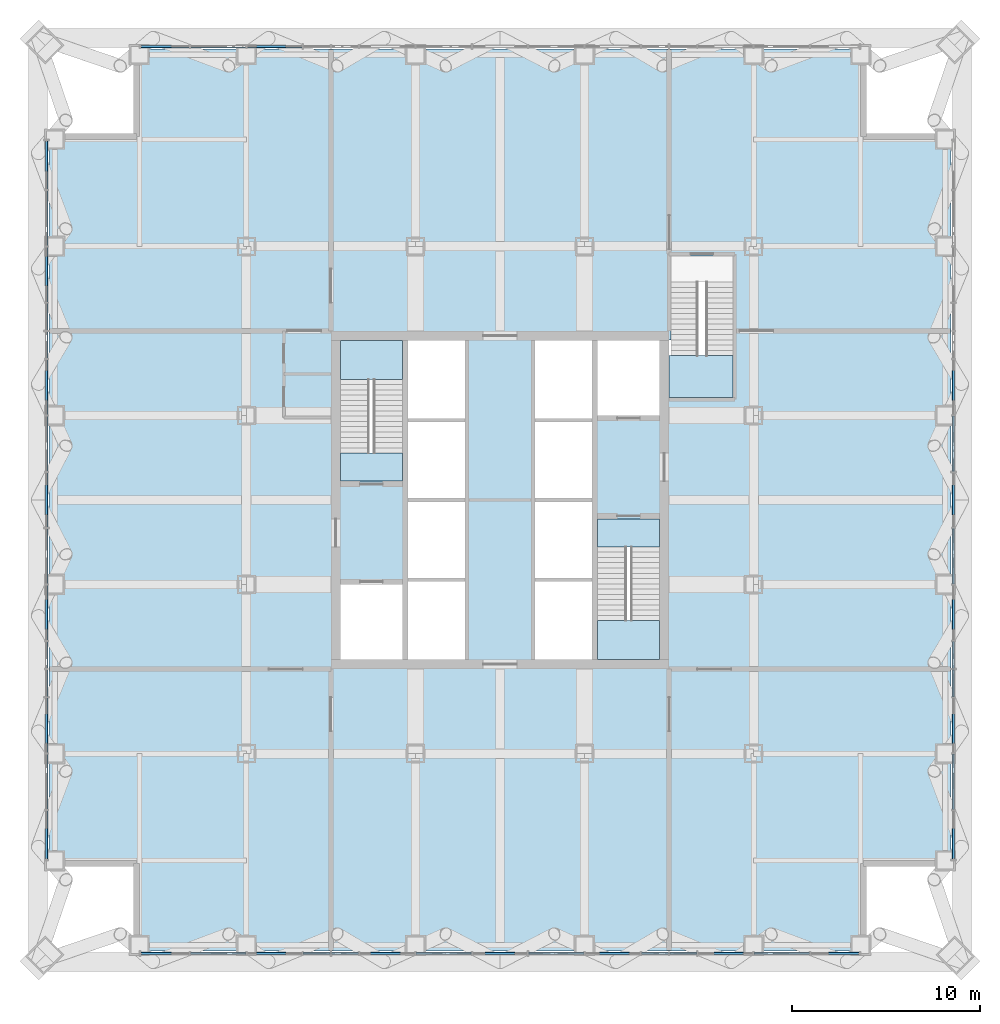
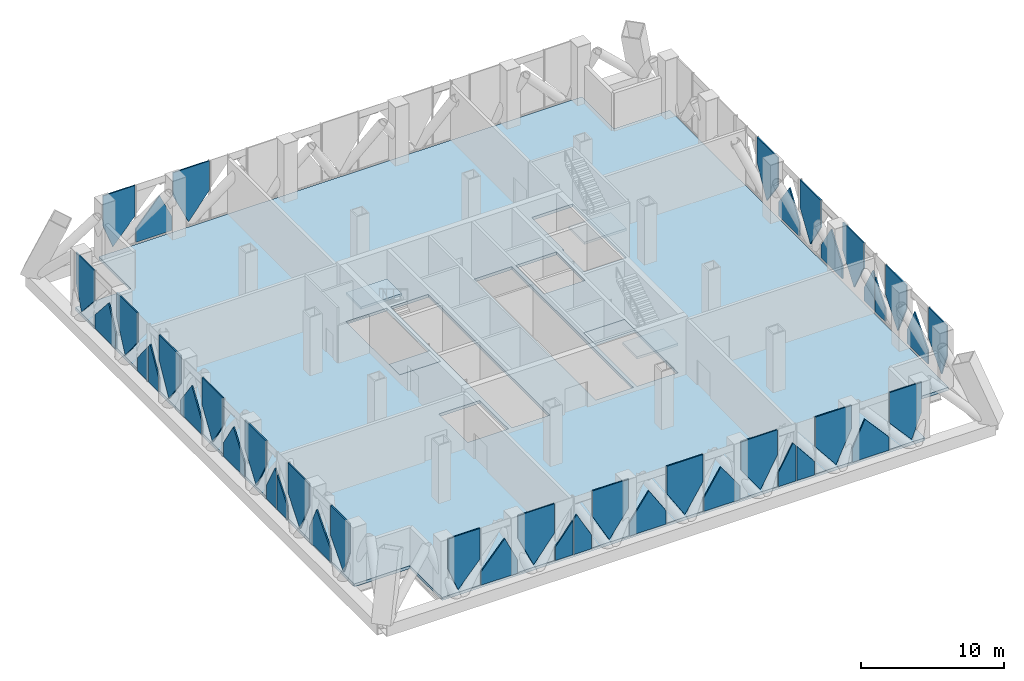
# One storey, part 13 of 29: 43 plates, 6 slabs, 7 elements without a shape of their own.
"""IFC4 building model written with IfcOpenShell, lengths in metres."""

from ifc_helpers import new_model, si_unit, direction, frame, origin, place, context, subcontext, project, spatial, polyline, outline, extrude, material, layer, layer_set, type_object, element, aggregate, save


model = new_model("IFC4")

# Units and contexts
model_context = context("Model", 3, precision=1e-05, world=origin(), true_north=direction((0.0, 1.0)))
body_context = subcontext(model_context, "Body", "Model", "MODEL_VIEW")
ifc_project = project(units=[si_unit("LENGTHUNIT", "METRE"), si_unit("AREAUNIT", "SQUARE_METRE"), si_unit("VOLUMEUNIT", "CUBIC_METRE"), si_unit("PLANEANGLEUNIT", "RADIAN"), si_unit("MASSUNIT", "GRAM", prefix="KILO")], contexts=[model_context])

# Site, building, storey
site_placement = place(None, origin())
site = spatial("IfcSite", under=ifc_project, at=site_placement, CompositionType="ELEMENT")
building_placement = place(site_placement, origin())
building = spatial("IfcBuilding", under=site, at=building_placement, Name="Malebo Sky Hospital", CompositionType="ELEMENT")
storey_placement = place(building_placement, frame((0.0, 0.0, 172.0)))
storey = spatial("IfcBuildingStorey", under=building, at=storey_placement, Name="L41", CompositionType="ELEMENT", Elevation=172.0)

# Slab
ifc_material_1 = material(Name="Concrete C40/50", Category="concrete")
ifc_layer_1 = layer(ifc_material_1, 0.25)
ifc_layer_set_1 = layer_set([ifc_layer_1], Name="COMPOSITE FLOOR SLAB 250")
slab_type_1 = type_object("IfcSlabType", Name="COMPOSITE FLOOR SLAB 250", PredefinedType="FLOOR", material=ifc_layer_set_1)
slab_1_placement = place(storey_placement, frame((0.0, 0.0, -0.25)))
element("IfcSlab", 1, at=slab_1_placement, inside=storey, type_object=slab_type_1, Name="Floor slab L41", PredefinedType="FLOOR", context=body_context, shape_type="SweptSolid", body=[
    extrude(outline(polyline([(40.5, 86.0), (40.5, 81.5), (36.0, 81.5), (36.0, 42.5), (40.5, 42.5), (40.5, 38.0), (79.5, 38.0), (79.5, 42.5), (84.0, 42.5), (84.0, 81.5), (79.5, 81.5), (79.5, 86.0), (40.5, 86.0)]), holes=[polyline([(55.10009765625, 70.5), (58.14990234375, 70.5), (58.14990234375, 53.5), (55.10009765625, 53.5), (55.10009765625, 70.5)]), polyline([(64.89990234375, 70.5), (64.89990234375, 53.5), (61.85009765625, 53.5), (61.85009765625, 70.5), (64.89990234375, 70.5)]), polyline([(54.800048828125, 63.0), (51.5, 63.0), (51.5, 70.5), (54.800048828125, 70.5), (54.800048828125, 63.0)]), polyline([(51.5, 53.5), (51.5, 57.5), (54.800048828125, 57.5), (54.800048828125, 53.5), (51.5, 53.5)]), polyline([(65.199951171875, 61.0), (68.5, 61.0), (68.5, 53.5), (65.199951171875, 53.5), (65.199951171875, 61.0)]), polyline([(68.5, 70.5), (68.5, 66.5), (65.199951171875, 66.5), (65.199951171875, 70.5), (68.5, 70.5)]), polyline([(69.0, 67.449951171875), (69.0, 70.52001953125), (69.10009765625, 70.52001953125), (69.10009765625, 75.0), (72.39990234375, 75.0), (72.39990234375, 67.449951171875), (69.10009765625, 67.449951171875), (69.0, 67.449951171875)])]), origin(), (0.0, 0.0, 1.0), 0.25),
])

# Curtain wall, plates
ifc_material_2 = material(Name="Anodised aluminium, natural silver", Category="aluminium")
ifc_layer_2 = layer(ifc_material_2, 0.25)
ifc_layer_set_2 = layer_set([ifc_layer_2], Name="PLANT LOUVRE SCREEN")
curtain_wall_type = type_object("IfcCurtainWallType", Name="PLANT LOUVRE SCREEN", PredefinedType="NOTDEFINED", material=ifc_layer_set_2)
curtain_wall_1_placement = place(storey_placement, origin())
curtain_wall_1 = element("IfcCurtainWall", 2, at=curtain_wall_1_placement, inside=storey, type_object=curtain_wall_type, Name="PLANT curtain wall N", PredefinedType="NOTDEFINED")
ifc_layer_3 = layer(ifc_material_2, 0.10009765625)
ifc_layer_set_3 = layer_set([ifc_layer_3], Name="LOUVRE PANEL 100")
plate_type = type_object("IfcPlateType", Name="LOUVRE PANEL 100", PredefinedType="CURTAIN_PANEL", material=ifc_layer_set_3)
plate_1_placement = place(storey_placement, frame((42.168701171875, 86.135009765625, 0.36376953125), z_axis=(0.0, 0.0, 1.0), x_axis=(1.0, 0.0, 0.0)))
plate_1 = element("IfcPlate", 3, at=plate_1_placement, type_object=plate_type, Name="Panel 1", PredefinedType="CURTAIN_PANEL", context=body_context, shape_type="SweptSolid", body=[
    extrude(outline(polyline([(-0.488037109375, 0.0), (1.293701171875, 2.0205078125), (1.293701171875, 4.626220703125), (-1.293701171875, 4.626220703125), (-1.293701171875, 2.079833984375), (-0.488037109375, 0.0)])), frame((0.0, 0.050048828125, 0.0), z_axis=(0.0, -1.0, 0.0), x_axis=(1.0, 0.0, 0.0)), (0.0, 0.0, 1.0), 0.10009765625),
])
plate_2_placement = place(storey_placement, frame((45.0, 86.135009765625, 0.10009765625), z_axis=(0.0, 0.0, 1.0), x_axis=(1.0, 0.0, 0.0)))
plate_2 = element("IfcPlate", 4, at=plate_2_placement, type_object=plate_type, Name="Panel 2", PredefinedType="CURTAIN_PANEL", context=body_context, shape_type="SweptSolid", body=[
    extrude(outline(polyline([(-1.46240234375, 0.0), (1.46240234375, 0.0), (1.46240234375, 1.179931640625), (0.458740234375, 3.316650390625), (-1.46240234375, 1.13818359375), (-1.46240234375, 0.0)])), frame((0.0, 0.050048828125, 0.0), z_axis=(0.0, -1.0, 0.0), x_axis=(1.0, 0.0, 0.0)), (0.0, 0.0, 1.0), 0.10009765625),
])
plate_3_placement = place(storey_placement, frame((48.0, 86.135009765625, 0.365478515625), z_axis=(0.0, 0.0, 1.0), x_axis=(1.0, 0.0, 0.0)))
plate_3 = element("IfcPlate", 5, at=plate_3_placement, type_object=plate_type, Name="Panel 3", PredefinedType="CURTAIN_PANEL", context=body_context, shape_type="SweptSolid", body=[
    extrude(outline(polyline([(-0.21142578125, 0.0), (1.46240234375, 2.09375), (1.46240234375, 4.62451171875), (-1.46240234375, 4.62451171875), (-1.46240234375, 2.6630859375), (-0.21142578125, 0.0)])), frame((0.0, 0.050048828125, 0.0), z_axis=(0.0, -1.0, 0.0), x_axis=(1.0, 0.0, 0.0)), (0.0, 0.0, 1.0), 0.10009765625),
])
aggregate(curtain_wall_1, [plate_1, plate_2, plate_3])

curtain_wall_2_placement = place(storey_placement, origin())
curtain_wall_2 = element("IfcCurtainWall", 6, at=curtain_wall_2_placement, inside=storey, type_object=curtain_wall_type, Name="PLANT curtain wall W", PredefinedType="NOTDEFINED")
plate_4_placement = place(storey_placement, frame((35.864990234375, 44.168701171875, 0.36376953125), z_axis=(0.0, 0.0, 1.0), x_axis=(0.0, 1.0, 0.0)))
plate_4 = element("IfcPlate", 7, at=plate_4_placement, type_object=plate_type, Name="Panel 1", PredefinedType="CURTAIN_PANEL", context=body_context, shape_type="SweptSolid", body=[
    extrude(outline(polyline([(-0.488037109375, 0.0), (1.293701171875, 2.0205078125), (1.293701171875, 4.626220703125), (-1.293701171875, 4.626220703125), (-1.293701171875, 2.079833984375), (-0.488037109375, 0.0)])), frame((0.0, 0.050048828125, 0.0), z_axis=(0.0, -1.0, 0.0), x_axis=(1.0, 0.0, 0.0)), (0.0, 0.0, 1.0), 0.10009765625),
])
plate_5_placement = place(storey_placement, frame((35.864990234375, 47.0, 0.10009765625), z_axis=(0.0, 0.0, 1.0), x_axis=(0.0, 1.0, 0.0)))
plate_5 = element("IfcPlate", 8, at=plate_5_placement, type_object=plate_type, Name="Panel 2", PredefinedType="CURTAIN_PANEL", context=body_context, shape_type="SweptSolid", body=[
    extrude(outline(polyline([(-1.46240234375, 0.0), (1.46240234375, 0.0), (1.46240234375, 1.179931640625), (0.458740234375, 3.316650390625), (-1.46240234375, 1.13818359375), (-1.46240234375, 0.0)])), frame((0.0, 0.050048828125, 0.0), z_axis=(0.0, -1.0, 0.0), x_axis=(1.0, 0.0, 0.0)), (0.0, 0.0, 1.0), 0.10009765625),
])
plate_6_placement = place(storey_placement, frame((35.864990234375, 50.0, 0.365478515625), z_axis=(0.0, 0.0, 1.0), x_axis=(0.0, 1.0, 0.0)))
plate_6 = element("IfcPlate", 9, at=plate_6_placement, type_object=plate_type, Name="Panel 3", PredefinedType="CURTAIN_PANEL", context=body_context, shape_type="SweptSolid", body=[
    extrude(outline(polyline([(-0.21142578125, 0.0), (1.46240234375, 2.09375), (1.46240234375, 4.62451171875), (-1.46240234375, 4.62451171875), (-1.46240234375, 2.6630859375), (-0.21142578125, 0.0)])), frame((0.0, 0.050048828125, 0.0), z_axis=(0.0, -1.0, 0.0), x_axis=(1.0, 0.0, 0.0)), (0.0, 0.0, 1.0), 0.10009765625),
])
plate_7_placement = place(storey_placement, frame((35.864990234375, 52.25, 0.10009765625), z_axis=(0.0, 0.0, 1.0), x_axis=(0.0, 1.0, 0.0)))
plate_7 = element("IfcPlate", 10, at=plate_7_placement, type_object=plate_type, Name="Panel 4", PredefinedType="CURTAIN_PANEL", context=body_context, shape_type="SweptSolid", body=[
    extrude(outline(polyline([(-0.71240234375, 0.0), (0.71240234375, 0.0), (0.71240234375, 2.926513671875), (-0.71240234375, 1.14404296875), (-0.71240234375, 0.0)])), frame((0.0, 0.050048828125, 0.0), z_axis=(0.0, -1.0, 0.0), x_axis=(1.0, 0.0, 0.0)), (0.0, 0.0, 1.0), 0.10009765625),
])
plate_8_placement = place(storey_placement, frame((35.864990234375, 53.75, 0.10009765625), z_axis=(0.0, 0.0, 1.0), x_axis=(0.0, 1.0, 0.0)))
plate_8 = element("IfcPlate", 11, at=plate_8_placement, type_object=plate_type, Name="Panel 5", PredefinedType="CURTAIN_PANEL", context=body_context, shape_type="SweptSolid", body=[
    extrude(outline(polyline([(-0.71240234375, 0.0), (0.71240234375, 0.0), (0.71240234375, 1.166015625), (-0.475341796875, 3.31689453125), (-0.71240234375, 3.020263671875), (-0.71240234375, 0.0)])), frame((0.0, 0.050048828125, 0.0), z_axis=(0.0, -1.0, 0.0), x_axis=(1.0, 0.0, 0.0)), (0.0, 0.0, 1.0), 0.10009765625),
])
plate_9_placement = place(storey_placement, frame((35.864990234375, 56.0, 0.36572265625), z_axis=(0.0, 0.0, 1.0), x_axis=(0.0, 1.0, 0.0)))
plate_9 = element("IfcPlate", 12, at=plate_9_placement, type_object=plate_type, Name="Panel 6", PredefinedType="CURTAIN_PANEL", context=body_context, shape_type="SweptSolid", body=[
    extrude(outline(polyline([(-0.105224609375, 0.0), (1.46240234375, 2.186279296875), (1.46240234375, 4.624267578125), (-1.46240234375, 4.624267578125), (-1.46240234375, 2.45751953125), (-0.105224609375, 0.0)])), frame((0.0, 0.050048828125, 0.0), z_axis=(0.0, -1.0, 0.0), x_axis=(1.0, 0.0, 0.0)), (0.0, 0.0, 1.0), 0.10009765625),
])
plate_10_placement = place(storey_placement, frame((35.864990234375, 59.0, 0.099853515625), z_axis=(0.0, 0.0, 1.0), x_axis=(0.0, 1.0, 0.0)))
plate_10 = element("IfcPlate", 13, at=plate_10_placement, type_object=plate_type, Name="Panel 7", PredefinedType="CURTAIN_PANEL", context=body_context, shape_type="SweptSolid", body=[
    extrude(outline(polyline([(-1.46240234375, 0.0), (1.46240234375, 0.0), (1.46240234375, 1.156982421875), (0.091552734375, 3.3173828125), (-1.46240234375, 1.14990234375), (-1.46240234375, 0.0)])), frame((0.0, 0.050048828125, 0.0), z_axis=(0.0, -1.0, 0.0), x_axis=(1.0, 0.0, 0.0)), (0.0, 0.0, 1.0), 0.10009765625),
])
plate_11_placement = place(storey_placement, frame((35.864990234375, 62.0, 0.36572265625), z_axis=(0.0, 0.0, 1.0), x_axis=(0.0, 1.0, 0.0)))
plate_11 = element("IfcPlate", 14, at=plate_11_placement, type_object=plate_type, Name="Panel 8", PredefinedType="CURTAIN_PANEL", context=body_context, shape_type="SweptSolid", body=[
    extrude(outline(polyline([(0.0, 0.0), (1.46240234375, 2.304443359375), (1.46240234375, 4.624267578125), (-1.46240234375, 4.624267578125), (-1.46240234375, 2.304443359375), (0.0, 0.0)])), frame((0.0, 0.050048828125, 0.0), z_axis=(0.0, -1.0, 0.0), x_axis=(1.0, 0.0, 0.0)), (0.0, 0.0, 1.0), 0.10009765625),
])
plate_12_placement = place(storey_placement, frame((35.864990234375, 65.0, 0.099853515625), z_axis=(0.0, 0.0, 1.0), x_axis=(0.0, 1.0, 0.0)))
plate_12 = element("IfcPlate", 15, at=plate_12_placement, type_object=plate_type, Name="Panel 9", PredefinedType="CURTAIN_PANEL", context=body_context, shape_type="SweptSolid", body=[
    extrude(outline(polyline([(-1.46240234375, 0.0), (1.46240234375, 0.0), (1.46240234375, 1.14990234375), (-0.091552734375, 3.3173828125), (-1.46240234375, 1.156982421875), (-1.46240234375, 0.0)])), frame((0.0, 0.050048828125, 0.0), z_axis=(0.0, -1.0, 0.0), x_axis=(1.0, 0.0, 0.0)), (0.0, 0.0, 1.0), 0.10009765625),
])
plate_13_placement = place(storey_placement, frame((35.864990234375, 68.0, 0.36572265625), z_axis=(0.0, 0.0, 1.0), x_axis=(0.0, 1.0, 0.0)))
plate_13 = element("IfcPlate", 16, at=plate_13_placement, type_object=plate_type, Name="Panel 10", PredefinedType="CURTAIN_PANEL", context=body_context, shape_type="SweptSolid", body=[
    extrude(outline(polyline([(0.105224609375, 0.0), (1.46240234375, 2.45751953125), (1.46240234375, 4.624267578125), (-1.46240234375, 4.624267578125), (-1.46240234375, 2.186279296875), (0.105224609375, 0.0)])), frame((0.0, 0.050048828125, 0.0), z_axis=(0.0, -1.0, 0.0), x_axis=(1.0, 0.0, 0.0)), (0.0, 0.0, 1.0), 0.10009765625),
])
plate_14_placement = place(storey_placement, frame((35.864990234375, 70.25, 0.10009765625), z_axis=(0.0, 0.0, 1.0), x_axis=(0.0, 1.0, 0.0)))
plate_14 = element("IfcPlate", 17, at=plate_14_placement, type_object=plate_type, Name="Panel 11", PredefinedType="CURTAIN_PANEL", context=body_context, shape_type="SweptSolid", body=[
    extrude(outline(polyline([(-0.71240234375, 0.0), (0.71240234375, 0.0), (0.71240234375, 3.020263671875), (0.475341796875, 3.31689453125), (-0.71240234375, 1.166015625), (-0.71240234375, 0.0)])), frame((0.0, 0.050048828125, 0.0), z_axis=(0.0, -1.0, 0.0), x_axis=(1.0, 0.0, 0.0)), (0.0, 0.0, 1.0), 0.10009765625),
])
plate_15_placement = place(storey_placement, frame((35.864990234375, 71.75, 0.10009765625), z_axis=(0.0, 0.0, 1.0), x_axis=(0.0, 1.0, 0.0)))
plate_15 = element("IfcPlate", 18, at=plate_15_placement, type_object=plate_type, Name="Panel 12", PredefinedType="CURTAIN_PANEL", context=body_context, shape_type="SweptSolid", body=[
    extrude(outline(polyline([(-0.71240234375, 0.0), (0.71240234375, 0.0), (0.71240234375, 1.14404296875), (-0.71240234375, 2.926513671875), (-0.71240234375, 0.0)])), frame((0.0, 0.050048828125, 0.0), z_axis=(0.0, -1.0, 0.0), x_axis=(1.0, 0.0, 0.0)), (0.0, 0.0, 1.0), 0.10009765625),
])
plate_16_placement = place(storey_placement, frame((35.864990234375, 74.0, 0.365478515625), z_axis=(0.0, 0.0, 1.0), x_axis=(0.0, 1.0, 0.0)))
plate_16 = element("IfcPlate", 19, at=plate_16_placement, type_object=plate_type, Name="Panel 13", PredefinedType="CURTAIN_PANEL", context=body_context, shape_type="SweptSolid", body=[
    extrude(outline(polyline([(0.21142578125, 0.0), (1.46240234375, 2.6630859375), (1.46240234375, 4.62451171875), (-1.46240234375, 4.62451171875), (-1.46240234375, 2.09375), (0.21142578125, 0.0)])), frame((0.0, 0.050048828125, 0.0), z_axis=(0.0, -1.0, 0.0), x_axis=(1.0, 0.0, 0.0)), (0.0, 0.0, 1.0), 0.10009765625),
])
plate_17_placement = place(storey_placement, frame((35.864990234375, 77.0, 0.10009765625), z_axis=(0.0, 0.0, 1.0), x_axis=(0.0, 1.0, 0.0)))
plate_17 = element("IfcPlate", 20, at=plate_17_placement, type_object=plate_type, Name="Panel 14", PredefinedType="CURTAIN_PANEL", context=body_context, shape_type="SweptSolid", body=[
    extrude(outline(polyline([(-1.46240234375, 0.0), (1.46240234375, 0.0), (1.46240234375, 1.13818359375), (-0.458740234375, 3.316650390625), (-1.46240234375, 1.179931640625), (-1.46240234375, 0.0)])), frame((0.0, 0.050048828125, 0.0), z_axis=(0.0, -1.0, 0.0), x_axis=(1.0, 0.0, 0.0)), (0.0, 0.0, 1.0), 0.10009765625),
])
plate_18_placement = place(storey_placement, frame((35.864990234375, 79.831298828125, 0.36376953125), z_axis=(0.0, 0.0, 1.0), x_axis=(0.0, 1.0, 0.0)))
plate_18 = element("IfcPlate", 21, at=plate_18_placement, type_object=plate_type, Name="Panel 15", PredefinedType="CURTAIN_PANEL", context=body_context, shape_type="SweptSolid", body=[
    extrude(outline(polyline([(0.488037109375, 0.0), (1.293701171875, 2.079833984375), (1.293701171875, 4.626220703125), (-1.293701171875, 4.626220703125), (-1.293701171875, 2.0205078125), (0.488037109375, 0.0)])), frame((0.0, 0.050048828125, 0.0), z_axis=(0.0, -1.0, 0.0), x_axis=(1.0, 0.0, 0.0)), (0.0, 0.0, 1.0), 0.10009765625),
])
aggregate(curtain_wall_2, [plate_4, plate_5, plate_6, plate_7, plate_8, plate_9, plate_10, plate_11, plate_12, plate_13, plate_14, plate_15, plate_16, plate_17, plate_18])

curtain_wall_3_placement = place(storey_placement, origin())
curtain_wall_3 = element("IfcCurtainWall", 22, at=curtain_wall_3_placement, inside=storey, type_object=curtain_wall_type, Name="PLANT curtain wall S", PredefinedType="NOTDEFINED")
plate_19_placement = place(storey_placement, frame((77.831298828125, 37.864990234375, 0.36376953125), z_axis=(0.0, 0.0, 1.0), x_axis=(-1.0, 0.0, 0.0)))
plate_19 = element("IfcPlate", 23, at=plate_19_placement, type_object=plate_type, Name="Panel 1", PredefinedType="CURTAIN_PANEL", context=body_context, shape_type="SweptSolid", body=[
    extrude(outline(polyline([(-0.488037109375, 0.0), (1.293701171875, 2.0205078125), (1.293701171875, 4.626220703125), (-1.293701171875, 4.626220703125), (-1.293701171875, 2.079833984375), (-0.488037109375, 0.0)])), frame((0.0, 0.050048828125, 0.0), z_axis=(0.0, -1.0, 0.0), x_axis=(1.0, 0.0, 0.0)), (0.0, 0.0, 1.0), 0.10009765625),
])
plate_20_placement = place(storey_placement, frame((75.0, 37.864990234375, 0.10009765625), z_axis=(0.0, 0.0, 1.0), x_axis=(-1.0, 0.0, 0.0)))
plate_20 = element("IfcPlate", 24, at=plate_20_placement, type_object=plate_type, Name="Panel 2", PredefinedType="CURTAIN_PANEL", context=body_context, shape_type="SweptSolid", body=[
    extrude(outline(polyline([(-1.46240234375, 0.0), (1.46240234375, 0.0), (1.46240234375, 1.179931640625), (0.458740234375, 3.316650390625), (-1.46240234375, 1.13818359375), (-1.46240234375, 0.0)])), frame((0.0, 0.050048828125, 0.0), z_axis=(0.0, -1.0, 0.0), x_axis=(1.0, 0.0, 0.0)), (0.0, 0.0, 1.0), 0.10009765625),
])
plate_21_placement = place(storey_placement, frame((72.0, 37.864990234375, 0.365478515625), z_axis=(0.0, 0.0, 1.0), x_axis=(-1.0, 0.0, 0.0)))
plate_21 = element("IfcPlate", 25, at=plate_21_placement, type_object=plate_type, Name="Panel 3", PredefinedType="CURTAIN_PANEL", context=body_context, shape_type="SweptSolid", body=[
    extrude(outline(polyline([(-0.21142578125, 0.0), (1.46240234375, 2.09375), (1.46240234375, 4.62451171875), (-1.46240234375, 4.62451171875), (-1.46240234375, 2.6630859375), (-0.21142578125, 0.0)])), frame((0.0, 0.050048828125, 0.0), z_axis=(0.0, -1.0, 0.0), x_axis=(1.0, 0.0, 0.0)), (0.0, 0.0, 1.0), 0.10009765625),
])
plate_22_placement = place(storey_placement, frame((69.75, 37.864990234375, 0.10009765625), z_axis=(0.0, 0.0, 1.0), x_axis=(-1.0, 0.0, 0.0)))
plate_22 = element("IfcPlate", 26, at=plate_22_placement, type_object=plate_type, Name="Panel 4", PredefinedType="CURTAIN_PANEL", context=body_context, shape_type="SweptSolid", body=[
    extrude(outline(polyline([(-0.71240234375, 0.0), (0.71240234375, 0.0), (0.71240234375, 2.926513671875), (-0.71240234375, 1.14404296875), (-0.71240234375, 0.0)])), frame((0.0, 0.050048828125, 0.0), z_axis=(0.0, -1.0, 0.0), x_axis=(1.0, 0.0, 0.0)), (0.0, 0.0, 1.0), 0.10009765625),
])
plate_23_placement = place(storey_placement, frame((68.25, 37.864990234375, 0.10009765625), z_axis=(0.0, 0.0, 1.0), x_axis=(-1.0, 0.0, 0.0)))
plate_23 = element("IfcPlate", 27, at=plate_23_placement, type_object=plate_type, Name="Panel 5", PredefinedType="CURTAIN_PANEL", context=body_context, shape_type="SweptSolid", body=[
    extrude(outline(polyline([(-0.71240234375, 0.0), (0.71240234375, 0.0), (0.71240234375, 1.166015625), (-0.475341796875, 3.31689453125), (-0.71240234375, 3.020263671875), (-0.71240234375, 0.0)])), frame((0.0, 0.050048828125, 0.0), z_axis=(0.0, -1.0, 0.0), x_axis=(1.0, 0.0, 0.0)), (0.0, 0.0, 1.0), 0.10009765625),
])
plate_24_placement = place(storey_placement, frame((66.0, 37.864990234375, 0.36572265625), z_axis=(0.0, 0.0, 1.0), x_axis=(-1.0, 0.0, 0.0)))
plate_24 = element("IfcPlate", 28, at=plate_24_placement, type_object=plate_type, Name="Panel 6", PredefinedType="CURTAIN_PANEL", context=body_context, shape_type="SweptSolid", body=[
    extrude(outline(polyline([(-0.105224609375, 0.0), (1.46240234375, 2.186279296875), (1.46240234375, 4.624267578125), (-1.46240234375, 4.624267578125), (-1.46240234375, 2.45751953125), (-0.105224609375, 0.0)])), frame((0.0, 0.050048828125, 0.0), z_axis=(0.0, -1.0, 0.0), x_axis=(1.0, 0.0, 0.0)), (0.0, 0.0, 1.0), 0.10009765625),
])
plate_25_placement = place(storey_placement, frame((63.0, 37.864990234375, 0.099853515625), z_axis=(0.0, 0.0, 1.0), x_axis=(-1.0, 0.0, 0.0)))
plate_25 = element("IfcPlate", 29, at=plate_25_placement, type_object=plate_type, Name="Panel 7", PredefinedType="CURTAIN_PANEL", context=body_context, shape_type="SweptSolid", body=[
    extrude(outline(polyline([(-1.46240234375, 0.0), (1.46240234375, 0.0), (1.46240234375, 1.156982421875), (0.091552734375, 3.3173828125), (-1.46240234375, 1.14990234375), (-1.46240234375, 0.0)])), frame((0.0, 0.050048828125, 0.0), z_axis=(0.0, -1.0, 0.0), x_axis=(1.0, 0.0, 0.0)), (0.0, 0.0, 1.0), 0.10009765625),
])
plate_26_placement = place(storey_placement, frame((60.0, 37.864990234375, 0.36572265625), z_axis=(0.0, 0.0, 1.0), x_axis=(-1.0, 0.0, 0.0)))
plate_26 = element("IfcPlate", 30, at=plate_26_placement, type_object=plate_type, Name="Panel 8", PredefinedType="CURTAIN_PANEL", context=body_context, shape_type="SweptSolid", body=[
    extrude(outline(polyline([(0.0, 0.0), (1.46240234375, 2.304443359375), (1.46240234375, 4.624267578125), (-1.46240234375, 4.624267578125), (-1.46240234375, 2.304443359375), (0.0, 0.0)])), frame((0.0, 0.050048828125, 0.0), z_axis=(0.0, -1.0, 0.0), x_axis=(1.0, 0.0, 0.0)), (0.0, 0.0, 1.0), 0.10009765625),
])
plate_27_placement = place(storey_placement, frame((57.0, 37.864990234375, 0.099853515625), z_axis=(0.0, 0.0, 1.0), x_axis=(-1.0, 0.0, 0.0)))
plate_27 = element("IfcPlate", 31, at=plate_27_placement, type_object=plate_type, Name="Panel 9", PredefinedType="CURTAIN_PANEL", context=body_context, shape_type="SweptSolid", body=[
    extrude(outline(polyline([(-1.46240234375, 0.0), (1.46240234375, 0.0), (1.46240234375, 1.14990234375), (-0.091552734375, 3.3173828125), (-1.46240234375, 1.156982421875), (-1.46240234375, 0.0)])), frame((0.0, 0.050048828125, 0.0), z_axis=(0.0, -1.0, 0.0), x_axis=(1.0, 0.0, 0.0)), (0.0, 0.0, 1.0), 0.10009765625),
])
plate_28_placement = place(storey_placement, frame((54.0, 37.864990234375, 0.36572265625), z_axis=(0.0, 0.0, 1.0), x_axis=(-1.0, 0.0, 0.0)))
plate_28 = element("IfcPlate", 32, at=plate_28_placement, type_object=plate_type, Name="Panel 10", PredefinedType="CURTAIN_PANEL", context=body_context, shape_type="SweptSolid", body=[
    extrude(outline(polyline([(0.105224609375, 0.0), (1.46240234375, 2.45751953125), (1.46240234375, 4.624267578125), (-1.46240234375, 4.624267578125), (-1.46240234375, 2.186279296875), (0.105224609375, 0.0)])), frame((0.0, 0.050048828125, 0.0), z_axis=(0.0, -1.0, 0.0), x_axis=(1.0, 0.0, 0.0)), (0.0, 0.0, 1.0), 0.10009765625),
])
plate_29_placement = place(storey_placement, frame((51.75, 37.864990234375, 0.10009765625), z_axis=(0.0, 0.0, 1.0), x_axis=(-1.0, 0.0, 0.0)))
plate_29 = element("IfcPlate", 33, at=plate_29_placement, type_object=plate_type, Name="Panel 11", PredefinedType="CURTAIN_PANEL", context=body_context, shape_type="SweptSolid", body=[
    extrude(outline(polyline([(-0.71240234375, 0.0), (0.71240234375, 0.0), (0.71240234375, 3.020263671875), (0.475341796875, 3.31689453125), (-0.71240234375, 1.166015625), (-0.71240234375, 0.0)])), frame((0.0, 0.050048828125, 0.0), z_axis=(0.0, -1.0, 0.0), x_axis=(1.0, 0.0, 0.0)), (0.0, 0.0, 1.0), 0.10009765625),
])
plate_30_placement = place(storey_placement, frame((50.25, 37.864990234375, 0.10009765625), z_axis=(0.0, 0.0, 1.0), x_axis=(-1.0, 0.0, 0.0)))
plate_30 = element("IfcPlate", 34, at=plate_30_placement, type_object=plate_type, Name="Panel 12", PredefinedType="CURTAIN_PANEL", context=body_context, shape_type="SweptSolid", body=[
    extrude(outline(polyline([(-0.71240234375, 0.0), (0.71240234375, 0.0), (0.71240234375, 1.14404296875), (-0.71240234375, 2.926513671875), (-0.71240234375, 0.0)])), frame((0.0, 0.050048828125, 0.0), z_axis=(0.0, -1.0, 0.0), x_axis=(1.0, 0.0, 0.0)), (0.0, 0.0, 1.0), 0.10009765625),
])
plate_31_placement = place(storey_placement, frame((48.0, 37.864990234375, 0.365478515625), z_axis=(0.0, 0.0, 1.0), x_axis=(-1.0, 0.0, 0.0)))
plate_31 = element("IfcPlate", 35, at=plate_31_placement, type_object=plate_type, Name="Panel 13", PredefinedType="CURTAIN_PANEL", context=body_context, shape_type="SweptSolid", body=[
    extrude(outline(polyline([(0.21142578125, 0.0), (1.46240234375, 2.6630859375), (1.46240234375, 4.62451171875), (-1.46240234375, 4.62451171875), (-1.46240234375, 2.09375), (0.21142578125, 0.0)])), frame((0.0, 0.050048828125, 0.0), z_axis=(0.0, -1.0, 0.0), x_axis=(1.0, 0.0, 0.0)), (0.0, 0.0, 1.0), 0.10009765625),
])
plate_32_placement = place(storey_placement, frame((45.0, 37.864990234375, 0.10009765625), z_axis=(0.0, 0.0, 1.0), x_axis=(-1.0, 0.0, 0.0)))
plate_32 = element("IfcPlate", 36, at=plate_32_placement, type_object=plate_type, Name="Panel 14", PredefinedType="CURTAIN_PANEL", context=body_context, shape_type="SweptSolid", body=[
    extrude(outline(polyline([(-1.46240234375, 0.0), (1.46240234375, 0.0), (1.46240234375, 1.13818359375), (-0.458740234375, 3.316650390625), (-1.46240234375, 1.179931640625), (-1.46240234375, 0.0)])), frame((0.0, 0.050048828125, 0.0), z_axis=(0.0, -1.0, 0.0), x_axis=(1.0, 0.0, 0.0)), (0.0, 0.0, 1.0), 0.10009765625),
])
plate_33_placement = place(storey_placement, frame((42.168701171875, 37.864990234375, 0.36376953125), z_axis=(0.0, 0.0, 1.0), x_axis=(-1.0, 0.0, 0.0)))
plate_33 = element("IfcPlate", 37, at=plate_33_placement, type_object=plate_type, Name="Panel 15", PredefinedType="CURTAIN_PANEL", context=body_context, shape_type="SweptSolid", body=[
    extrude(outline(polyline([(0.488037109375, 0.0), (1.293701171875, 2.079833984375), (1.293701171875, 4.626220703125), (-1.293701171875, 4.626220703125), (-1.293701171875, 2.0205078125), (0.488037109375, 0.0)])), frame((0.0, 0.050048828125, 0.0), z_axis=(0.0, -1.0, 0.0), x_axis=(1.0, 0.0, 0.0)), (0.0, 0.0, 1.0), 0.10009765625),
])
aggregate(curtain_wall_3, [plate_19, plate_20, plate_21, plate_22, plate_23, plate_24, plate_25, plate_26, plate_27, plate_28, plate_29, plate_30, plate_31, plate_32, plate_33])

curtain_wall_4_placement = place(storey_placement, origin())
curtain_wall_4 = element("IfcCurtainWall", 38, at=curtain_wall_4_placement, inside=storey, type_object=curtain_wall_type, Name="PLANT curtain wall E", PredefinedType="NOTDEFINED")
plate_34_placement = place(storey_placement, frame((84.135009765625, 68.0, 0.36572265625), z_axis=(0.0, 0.0, 1.0), x_axis=(0.0, -1.0, 0.0)))
plate_34 = element("IfcPlate", 39, at=plate_34_placement, type_object=plate_type, Name="Panel 6", PredefinedType="CURTAIN_PANEL", context=body_context, shape_type="SweptSolid", body=[
    extrude(outline(polyline([(-0.105224609375, 0.0), (1.46240234375, 2.186279296875), (1.46240234375, 4.624267578125), (-1.46240234375, 4.624267578125), (-1.46240234375, 2.45751953125), (-0.105224609375, 0.0)])), frame((0.0, 0.050048828125, 0.0), z_axis=(0.0, -1.0, 0.0), x_axis=(1.0, 0.0, 0.0)), (0.0, 0.0, 1.0), 0.10009765625),
])
plate_35_placement = place(storey_placement, frame((84.135009765625, 65.0, 0.099853515625), z_axis=(0.0, 0.0, 1.0), x_axis=(0.0, -1.0, 0.0)))
plate_35 = element("IfcPlate", 40, at=plate_35_placement, type_object=plate_type, Name="Panel 7", PredefinedType="CURTAIN_PANEL", context=body_context, shape_type="SweptSolid", body=[
    extrude(outline(polyline([(-1.46240234375, 0.0), (1.46240234375, 0.0), (1.46240234375, 1.156982421875), (0.091552734375, 3.3173828125), (-1.46240234375, 1.14990234375), (-1.46240234375, 0.0)])), frame((0.0, 0.050048828125, 0.0), z_axis=(0.0, -1.0, 0.0), x_axis=(1.0, 0.0, 0.0)), (0.0, 0.0, 1.0), 0.10009765625),
])
plate_36_placement = place(storey_placement, frame((84.135009765625, 62.0, 0.36572265625), z_axis=(0.0, 0.0, 1.0), x_axis=(0.0, -1.0, 0.0)))
plate_36 = element("IfcPlate", 41, at=plate_36_placement, type_object=plate_type, Name="Panel 8", PredefinedType="CURTAIN_PANEL", context=body_context, shape_type="SweptSolid", body=[
    extrude(outline(polyline([(0.0, 0.0), (1.46240234375, 2.304443359375), (1.46240234375, 4.624267578125), (-1.46240234375, 4.624267578125), (-1.46240234375, 2.304443359375), (0.0, 0.0)])), frame((0.0, 0.050048828125, 0.0), z_axis=(0.0, -1.0, 0.0), x_axis=(1.0, 0.0, 0.0)), (0.0, 0.0, 1.0), 0.10009765625),
])
plate_37_placement = place(storey_placement, frame((84.135009765625, 59.0, 0.099853515625), z_axis=(0.0, 0.0, 1.0), x_axis=(0.0, -1.0, 0.0)))
plate_37 = element("IfcPlate", 42, at=plate_37_placement, type_object=plate_type, Name="Panel 9", PredefinedType="CURTAIN_PANEL", context=body_context, shape_type="SweptSolid", body=[
    extrude(outline(polyline([(-1.46240234375, 0.0), (1.46240234375, 0.0), (1.46240234375, 1.14990234375), (-0.091552734375, 3.3173828125), (-1.46240234375, 1.156982421875), (-1.46240234375, 0.0)])), frame((0.0, 0.050048828125, 0.0), z_axis=(0.0, -1.0, 0.0), x_axis=(1.0, 0.0, 0.0)), (0.0, 0.0, 1.0), 0.10009765625),
])
plate_38_placement = place(storey_placement, frame((84.135009765625, 56.0, 0.36572265625), z_axis=(0.0, 0.0, 1.0), x_axis=(0.0, -1.0, 0.0)))
plate_38 = element("IfcPlate", 43, at=plate_38_placement, type_object=plate_type, Name="Panel 10", PredefinedType="CURTAIN_PANEL", context=body_context, shape_type="SweptSolid", body=[
    extrude(outline(polyline([(0.105224609375, 0.0), (1.46240234375, 2.45751953125), (1.46240234375, 4.624267578125), (-1.46240234375, 4.624267578125), (-1.46240234375, 2.186279296875), (0.105224609375, 0.0)])), frame((0.0, 0.050048828125, 0.0), z_axis=(0.0, -1.0, 0.0), x_axis=(1.0, 0.0, 0.0)), (0.0, 0.0, 1.0), 0.10009765625),
])
plate_39_placement = place(storey_placement, frame((84.135009765625, 53.75, 0.10009765625), z_axis=(0.0, 0.0, 1.0), x_axis=(0.0, -1.0, 0.0)))
plate_39 = element("IfcPlate", 44, at=plate_39_placement, type_object=plate_type, Name="Panel 11", PredefinedType="CURTAIN_PANEL", context=body_context, shape_type="SweptSolid", body=[
    extrude(outline(polyline([(-0.71240234375, 0.0), (0.71240234375, 0.0), (0.71240234375, 3.020263671875), (0.475341796875, 3.31689453125), (-0.71240234375, 1.166015625), (-0.71240234375, 0.0)])), frame((0.0, 0.050048828125, 0.0), z_axis=(0.0, -1.0, 0.0), x_axis=(1.0, 0.0, 0.0)), (0.0, 0.0, 1.0), 0.10009765625),
])
plate_40_placement = place(storey_placement, frame((84.135009765625, 52.25, 0.10009765625), z_axis=(0.0, 0.0, 1.0), x_axis=(0.0, -1.0, 0.0)))
plate_40 = element("IfcPlate", 45, at=plate_40_placement, type_object=plate_type, Name="Panel 12", PredefinedType="CURTAIN_PANEL", context=body_context, shape_type="SweptSolid", body=[
    extrude(outline(polyline([(-0.71240234375, 0.0), (0.71240234375, 0.0), (0.71240234375, 1.14404296875), (-0.71240234375, 2.926513671875), (-0.71240234375, 0.0)])), frame((0.0, 0.050048828125, 0.0), z_axis=(0.0, -1.0, 0.0), x_axis=(1.0, 0.0, 0.0)), (0.0, 0.0, 1.0), 0.10009765625),
])
plate_41_placement = place(storey_placement, frame((84.135009765625, 50.0, 0.365478515625), z_axis=(0.0, 0.0, 1.0), x_axis=(0.0, -1.0, 0.0)))
plate_41 = element("IfcPlate", 46, at=plate_41_placement, type_object=plate_type, Name="Panel 13", PredefinedType="CURTAIN_PANEL", context=body_context, shape_type="SweptSolid", body=[
    extrude(outline(polyline([(0.21142578125, 0.0), (1.46240234375, 2.6630859375), (1.46240234375, 4.62451171875), (-1.46240234375, 4.62451171875), (-1.46240234375, 2.09375), (0.21142578125, 0.0)])), frame((0.0, 0.050048828125, 0.0), z_axis=(0.0, -1.0, 0.0), x_axis=(1.0, 0.0, 0.0)), (0.0, 0.0, 1.0), 0.10009765625),
])
plate_42_placement = place(storey_placement, frame((84.135009765625, 47.0, 0.10009765625), z_axis=(0.0, 0.0, 1.0), x_axis=(0.0, -1.0, 0.0)))
plate_42 = element("IfcPlate", 47, at=plate_42_placement, type_object=plate_type, Name="Panel 14", PredefinedType="CURTAIN_PANEL", context=body_context, shape_type="SweptSolid", body=[
    extrude(outline(polyline([(-1.46240234375, 0.0), (1.46240234375, 0.0), (1.46240234375, 1.13818359375), (-0.458740234375, 3.316650390625), (-1.46240234375, 1.179931640625), (-1.46240234375, 0.0)])), frame((0.0, 0.050048828125, 0.0), z_axis=(0.0, -1.0, 0.0), x_axis=(1.0, 0.0, 0.0)), (0.0, 0.0, 1.0), 0.10009765625),
])
plate_43_placement = place(storey_placement, frame((84.135009765625, 44.168701171875, 0.36376953125), z_axis=(0.0, 0.0, 1.0), x_axis=(0.0, -1.0, 0.0)))
plate_43 = element("IfcPlate", 48, at=plate_43_placement, type_object=plate_type, Name="Panel 15", PredefinedType="CURTAIN_PANEL", context=body_context, shape_type="SweptSolid", body=[
    extrude(outline(polyline([(0.488037109375, 0.0), (1.293701171875, 2.079833984375), (1.293701171875, 4.626220703125), (-1.293701171875, 4.626220703125), (-1.293701171875, 2.0205078125), (0.488037109375, 0.0)])), frame((0.0, 0.050048828125, 0.0), z_axis=(0.0, -1.0, 0.0), x_axis=(1.0, 0.0, 0.0)), (0.0, 0.0, 1.0), 0.10009765625),
])
aggregate(curtain_wall_4, [plate_34, plate_35, plate_36, plate_37, plate_38, plate_39, plate_40, plate_41, plate_42, plate_43])

# Stair, slabs
stair_type_1 = type_object("IfcStairType", Name="HALF-TURN STAIR 1500 R167", PredefinedType="HALF_TURN_STAIR", material=ifc_material_1)
stair_1_placement = place(storey_placement, origin())
stair_1 = element("IfcStair", 49, at=stair_1_placement, inside=storey, type_object=stair_type_1, Name="Stair S1 L41 type ST1", PredefinedType="HALF_TURN_STAIR")
ifc_layer_4 = layer(ifc_material_1, 0.199951171875)
ifc_layer_set_4 = layer_set([ifc_layer_4], Name="STAIR LANDING 200")
slab_type_2 = type_object("IfcSlabType", Name="STAIR LANDING 200", PredefinedType="LANDING", material=ifc_layer_set_4)
slab_2_placement = place(storey_placement, frame((0.0, 0.0, -0.199951171875)))
slab_2 = element("IfcSlab", 50, at=slab_2_placement, type_object=slab_type_2, Name="S1 landing 1", PredefinedType="LANDING", context=body_context, shape_type="SweptSolid", body=[
    extrude(outline(polyline([(51.5, 63.0), (54.800048828125, 63.0), (54.800048828125, 64.5), (51.5, 64.5), (51.5, 63.0)])), origin(), (0.0, 0.0, 1.0), 0.199951171875),
])
slab_3_placement = place(storey_placement, frame((0.0, 0.0, 2.300048828125)))
slab_3 = element("IfcSlab", 51, at=slab_3_placement, type_object=slab_type_2, Name="S1 landing 2", PredefinedType="LANDING", context=body_context, shape_type="SweptSolid", body=[
    extrude(outline(polyline([(51.5, 68.419921875), (54.800048828125, 68.419921875), (54.800048828125, 70.5), (51.5, 70.5), (51.5, 68.419921875)])), origin(), (0.0, 0.0, 1.0), 0.199951171875),
])
aggregate(stair_1, [slab_2, slab_3])

stair_2_placement = place(storey_placement, origin())
stair_2 = element("IfcStair", 52, at=stair_2_placement, inside=storey, type_object=stair_type_1, Name="Stair S2 L41 type ST1", PredefinedType="HALF_TURN_STAIR")
slab_4_placement = place(storey_placement, frame((0.0, 0.0, -0.199951171875)))
slab_4 = element("IfcSlab", 53, at=slab_4_placement, type_object=slab_type_2, Name="S2 landing 1", PredefinedType="LANDING", context=body_context, shape_type="SweptSolid", body=[
    extrude(outline(polyline([(65.199951171875, 59.5), (68.5, 59.5), (68.5, 61.0), (65.199951171875, 61.0), (65.199951171875, 59.5)])), origin(), (0.0, 0.0, 1.0), 0.199951171875),
])
slab_5_placement = place(storey_placement, frame((0.0, 0.0, 2.300048828125)))
slab_5 = element("IfcSlab", 54, at=slab_5_placement, type_object=slab_type_2, Name="S2 landing 2", PredefinedType="LANDING", context=body_context, shape_type="SweptSolid", body=[
    extrude(outline(polyline([(65.199951171875, 53.5), (68.5, 53.5), (68.5, 55.580078125), (65.199951171875, 55.580078125), (65.199951171875, 53.5)])), origin(), (0.0, 0.0, 1.0), 0.199951171875),
])
aggregate(stair_2, [slab_4, slab_5])

# Stair, slab
stair_type_2 = type_object("IfcStairType", Name="HALF-TURN STAIR 1400 R167", PredefinedType="HALF_TURN_STAIR", material=ifc_material_1)
stair_3_placement = place(storey_placement, origin())
stair_3 = element("IfcStair", 55, at=stair_3_placement, inside=storey, type_object=stair_type_2, Name="Stair S3 L41 type ST1B", PredefinedType="HALF_TURN_STAIR")
slab_6_placement = place(storey_placement, frame((0.0, 0.0, 2.300048828125)))
slab_6 = element("IfcSlab", 56, at=slab_6_placement, type_object=slab_type_2, Name="S3 landing 2", PredefinedType="LANDING", context=body_context, shape_type="SweptSolid", body=[
    extrude(outline(polyline([(69.0, 67.449951171875), (72.39990234375, 67.449951171875), (72.39990234375, 69.679931640625), (69.0, 69.679931640625), (69.0, 67.449951171875)])), origin(), (0.0, 0.0, 1.0), 0.199951171875),
])
aggregate(stair_3, [slab_6])

save(model, "model.ifc")
